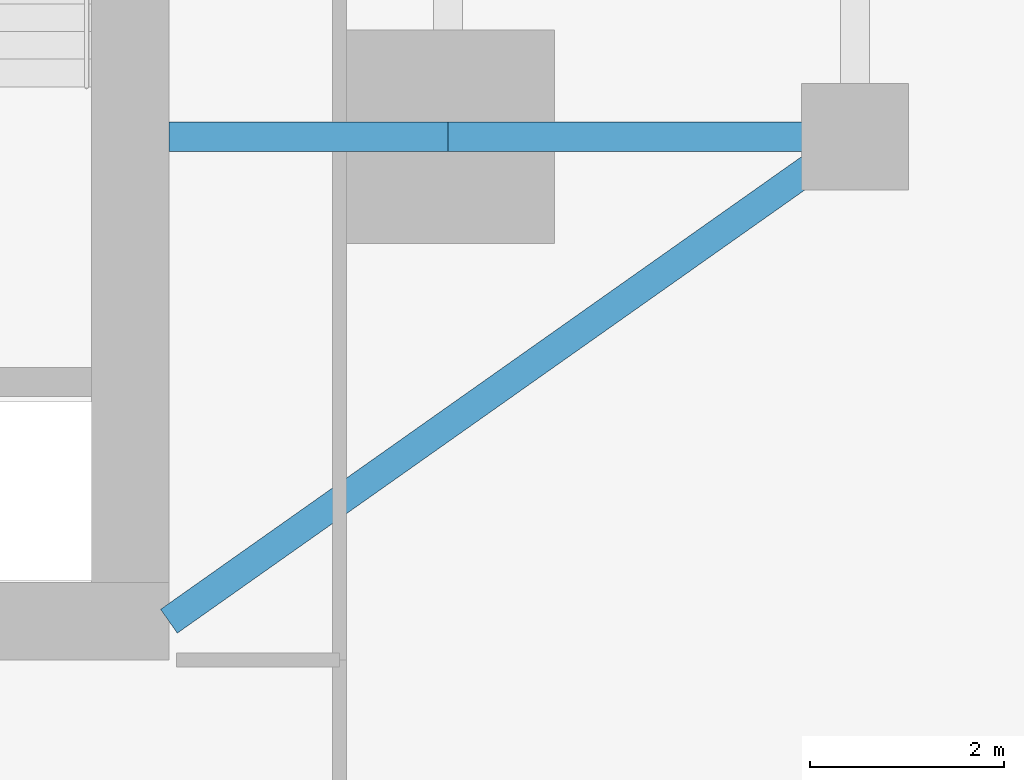
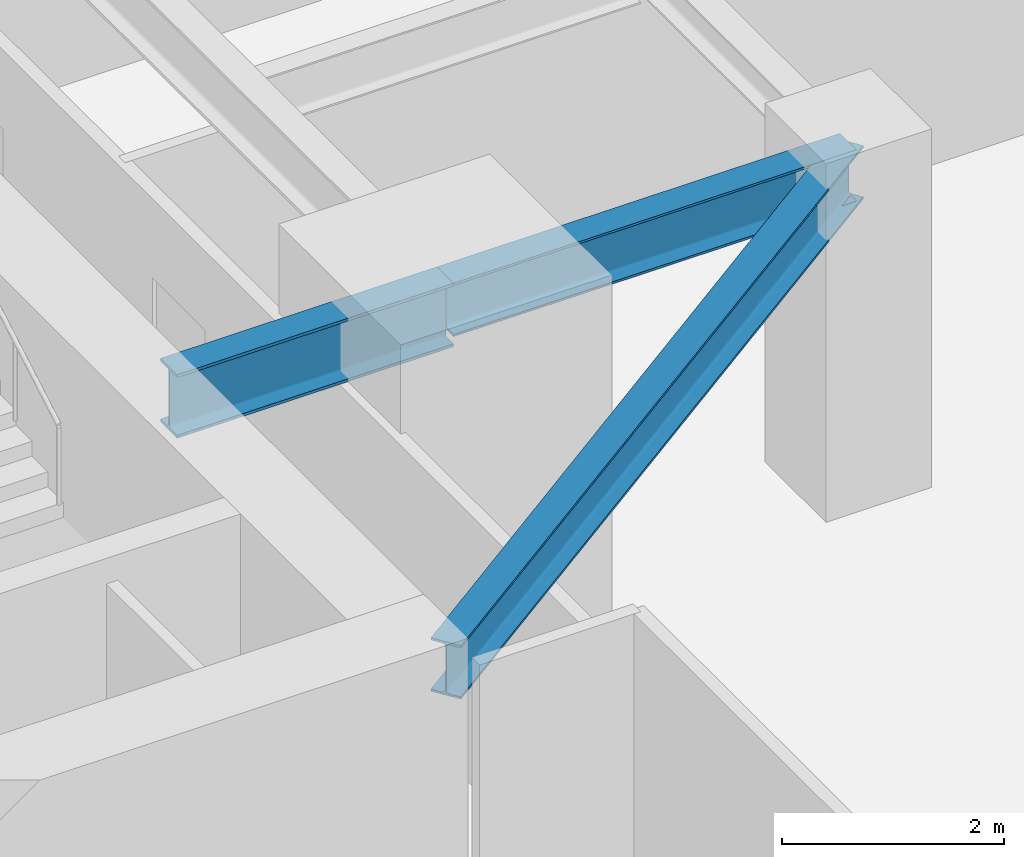
# One storey, part 13 of 30: 3 beams.
"""IFC4 building model written with IfcOpenShell, lengths in metres."""

from ifc_helpers import new_model, si_unit, direction, frame, origin, origin_2d, place, context, subcontext, project, spatial, i_section, extrude, source, transform, mapped, material, material_profile, profile_set, type_object, type_shapes, element, save


model = new_model("IFC4")

# Units and contexts
model_context = context("Model", 3, precision=1e-05, world=origin(), true_north=direction((0.0, 1.0)))
body_context = subcontext(model_context, "Body", "Model", "MODEL_VIEW")
ifc_project = project(units=[si_unit("LENGTHUNIT", "METRE"), si_unit("AREAUNIT", "SQUARE_METRE"), si_unit("VOLUMEUNIT", "CUBIC_METRE"), si_unit("PLANEANGLEUNIT", "RADIAN"), si_unit("MASSUNIT", "GRAM", prefix="KILO")], contexts=[model_context])

# Site, building, storey
site_placement = place(None, origin())
site = spatial("IfcSite", under=ifc_project, at=site_placement, CompositionType="ELEMENT")
building_placement = place(site_placement, origin())
building = spatial("IfcBuilding", under=site, at=building_placement, Name="Krantzveldt Concourse Tower", CompositionType="ELEMENT")
storey_placement = place(building_placement, frame((0.0, 0.0, 36.85009765625)))
storey = spatial("IfcBuildingStorey", under=building, at=storey_placement, Name="L08", CompositionType="ELEMENT", Elevation=36.85009765625)

# Beams
ifc_material_1 = material(Name="Steel S355J2", Category="steel")
ifc_material_profile_1 = material_profile(ifc_material_1, i_section(OverallWidth=0.300048828125, OverallDepth=0.699951171875, WebThickness=0.01708984375, FlangeThickness=0.031982421875, FilletRadius=0.027099609375, at=origin_2d()), Name="Steel S355J2", Category="steel")
ifc_profile_set_1 = profile_set([ifc_material_profile_1], Name="Steel S355J2 - HEB 700")
beam_type_1 = type_object("IfcBeamType", Name="BM-B-HEB700", PredefinedType="BEAM", material=ifc_profile_set_1)
shared_shape_1 = source(origin(), body_context, "Body", "SweptSolid", [
    extrude(i_section(OverallWidth=0.300048828125, OverallDepth=0.699951171875, WebThickness=0.01708984375, FlangeThickness=0.031982421875, FilletRadius=0.027099609375, at=origin_2d()), origin(), (0.0, 0.0, 1.0), 2.880126953125),
])
type_shapes(beam_type_1, [shared_shape_1])
beam_1_placement = place(storey_placement, frame((43.919921875, 15.89990234375, 3.31982421875), z_axis=(1.0, 0.0, 0.0), x_axis=(0.0, 1.0, 0.0)))
element("IfcBeam", 1, at=beam_1_placement, inside=storey, type_object=beam_type_1, Name="L08 Tower Girder BG-CE1", PredefinedType="BEAM", context=body_context, shape_type="MappedRepresentation", body=[
    mapped(shared_shape_1, transform((0.0, 0.0, 0.0), x_axis=(1.0, 0.0, 0.0), y_axis=(0.0, 1.0, 0.0), z_axis=(0.0, 0.0, 1.0), scale=1.0)),
])
ifc_material_2 = material(Name="Steel S355JR", Category="steel")
ifc_material_profile_2 = material_profile(ifc_material_2, i_section(OverallWidth=0.300048828125, OverallDepth=0.590087890625, WebThickness=0.012939453125, FlangeThickness=0.02490234375, FilletRadius=0.027099609375, at=origin_2d()), Name="Steel S355JR", Category="steel")
ifc_profile_set_2 = profile_set([ifc_material_profile_2], Name="Steel S355JR - HEA 600")
beam_type_2 = type_object("IfcBeamType", Name="BM-B-HEA600", PredefinedType="BEAM", material=ifc_profile_set_2)
shared_shape_2 = source(origin(), body_context, "Body", "SweptSolid", [
    extrude(i_section(OverallWidth=0.300048828125, OverallDepth=0.590087890625, WebThickness=0.012939453125, FlangeThickness=0.02490234375, FilletRadius=0.027099609375, at=origin_2d()), origin(), (0.0, 0.0, 1.0), 4.199951171875),
])
beam_2_placement = place(storey_placement, frame((46.800048828125, 15.89990234375, 3.375), z_axis=(1.0, 0.0, 0.0), x_axis=(0.0, 1.0, 0.0)))
element("IfcBeam", 2, at=beam_2_placement, inside=storey, type_object=beam_type_2, Name="L08 Tower Girder BR-RR1", PredefinedType="BEAM", context=body_context, shape_type="MappedRepresentation", body=[
    mapped(shared_shape_2, transform((0.0, 0.0, 0.0), x_axis=(1.0, 0.0, 0.0), y_axis=(0.0, 1.0, 0.0), z_axis=(0.0, 0.0, 1.0), scale=1.0)),
])
shared_shape_3 = source(origin(), body_context, "Body", "SweptSolid", [
    extrude(i_section(OverallWidth=0.300048828125, OverallDepth=0.590087890625, WebThickness=0.012939453125, FlangeThickness=0.02490234375, FilletRadius=0.027099609375, at=origin_2d()), origin(), (0.0, 0.0, 1.0), 8.667724609375),
])
type_shapes(beam_type_2, [shared_shape_2, shared_shape_3])
beam_3_placement = place(storey_placement, frame((51.0, 15.89990234375, 3.375), z_axis=(-0.81684294656, -0.576860122261, 0.0), x_axis=(0.576860122261, -0.81684294656, 0.0)))
element("IfcBeam", 3, at=beam_3_placement, inside=storey, type_object=beam_type_2, Name="L08 Tower Girder BR-CSE", PredefinedType="BEAM", context=body_context, shape_type="MappedRepresentation", body=[
    mapped(shared_shape_3, transform((0.0, 0.0, 0.0), x_axis=(1.0, 0.0, 0.0), y_axis=(0.0, 1.0, 0.0), z_axis=(0.0, 0.0, 1.0), scale=1.0)),
])

save(model, "model.ifc")
